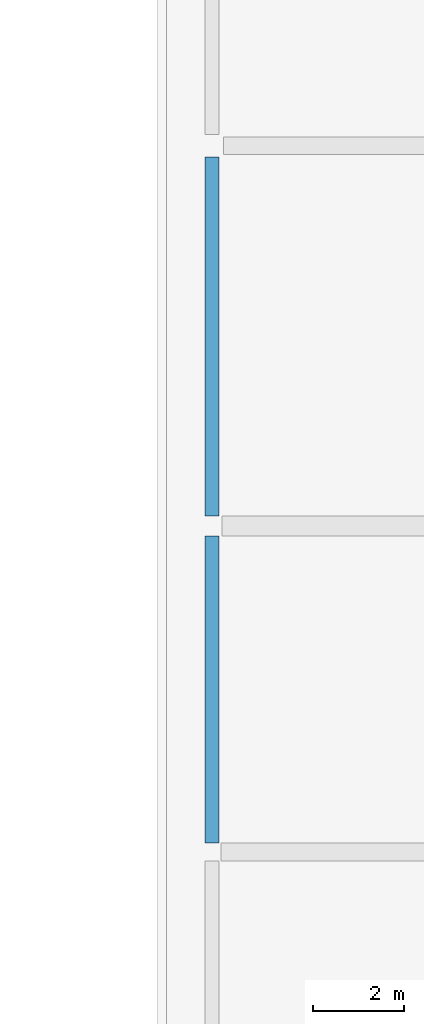
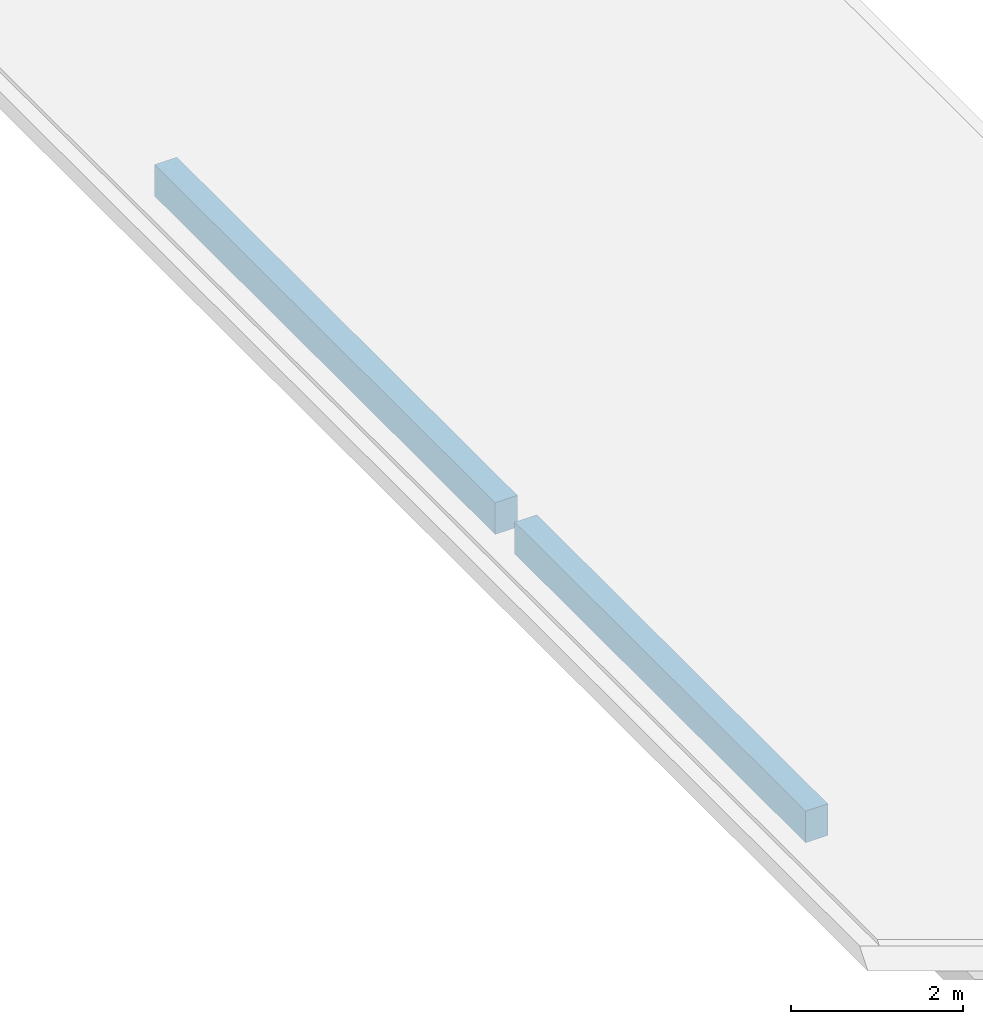
# One storey, part 61 of 134: 2 beams.
"""IFC4 building model written with IfcOpenShell, lengths in metres."""

from ifc_helpers import new_model, si_unit, direction, frame, origin, origin_2d, place, context, subcontext, project, spatial, rectangle, extrude, material, material_profile, profile_set, type_object, element, save


model = new_model("IFC4")

# Units and contexts
model_context = context("Model", 3, precision=1e-05, world=origin(), true_north=direction((0.0, 1.0)))
body_context = subcontext(model_context, "Body", "Model", "MODEL_VIEW")
ifc_project = project(units=[si_unit("LENGTHUNIT", "METRE"), si_unit("AREAUNIT", "SQUARE_METRE"), si_unit("VOLUMEUNIT", "CUBIC_METRE"), si_unit("PLANEANGLEUNIT", "RADIAN"), si_unit("MASSUNIT", "GRAM", prefix="KILO")], contexts=[model_context])

# Site, building, storey
site_placement = place(None, origin())
site = spatial("IfcSite", under=ifc_project, at=site_placement, CompositionType="ELEMENT")
building_placement = place(site_placement, origin())
building = spatial("IfcBuilding", under=site, at=building_placement, Name="Kalluvel Institute of Natural Sciences", CompositionType="ELEMENT")
storey_placement = place(building_placement, frame((0.0, 0.0, 5.39990234375)))
storey = spatial("IfcBuildingStorey", under=building, at=storey_placement, Name="L01", CompositionType="ELEMENT", Elevation=5.39990234375)

# Beams
ifc_material = material(Name="Concrete M40", Category="concrete")
ifc_material_profile = material_profile(ifc_material, rectangle(XDim=0.300048828125, YDim=0.449951171875, at=origin_2d()), Name="RCB 300x450")
ifc_profile_set = profile_set([ifc_material_profile], Name="Concrete M40")
beam_type = type_object("IfcBeamType", Name="SP-RC300x450", PredefinedType="SPANDREL", material=ifc_profile_set)
beam_1_placement = place(storey_placement, frame((107.60009765625, 79.0, -0.544921875), z_axis=(0.0, 1.0, 0.0), x_axis=(-1.0, 0.0, 0.0)))
element("IfcBeam", 1, at=beam_1_placement, inside=storey, type_object=beam_type, Name="L01 girder GIR-L01-NS-X1076-Y788", PredefinedType="SPANDREL", context=body_context, shape_type="SweptSolid", body=[
    extrude(rectangle(XDim=0.300048828125, YDim=0.449951171875, at=origin_2d()), origin(), (0.0, 0.0, 1.0), 6.77490234375),
])
beam_2_placement = place(storey_placement, frame((107.60009765625, 86.22509765625, -0.544921875), z_axis=(0.0, 1.0, 0.0), x_axis=(-1.0, 0.0, 0.0)))
element("IfcBeam", 2, at=beam_2_placement, inside=storey, type_object=beam_type, Name="L01 girder GIR-L01-NS-X1076-Y860", PredefinedType="SPANDREL", context=body_context, shape_type="SweptSolid", body=[
    extrude(rectangle(XDim=0.300048828125, YDim=0.449951171875, at=origin_2d()), origin(), (0.0, 0.0, 1.0), 7.9248046875),
])

save(model, "model.ifc")
